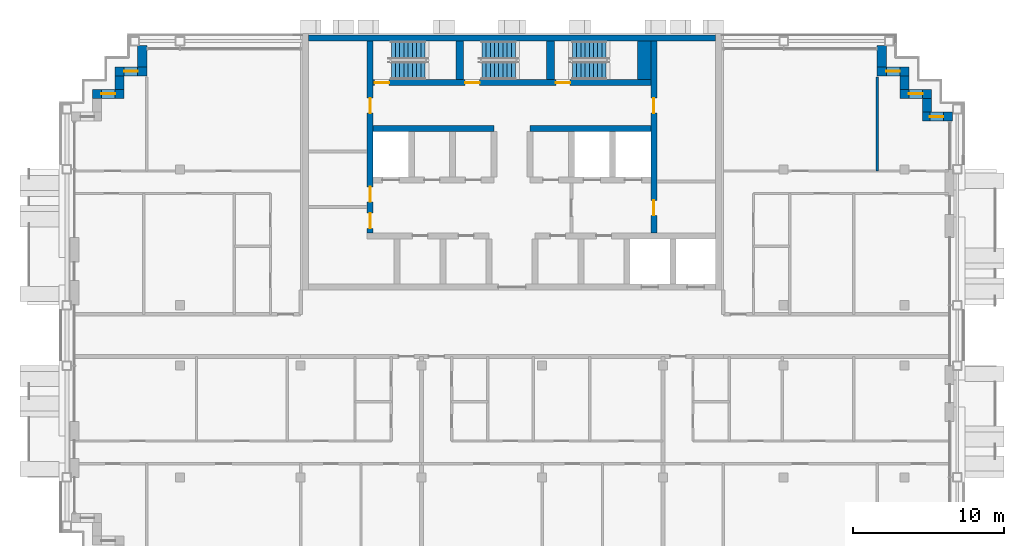
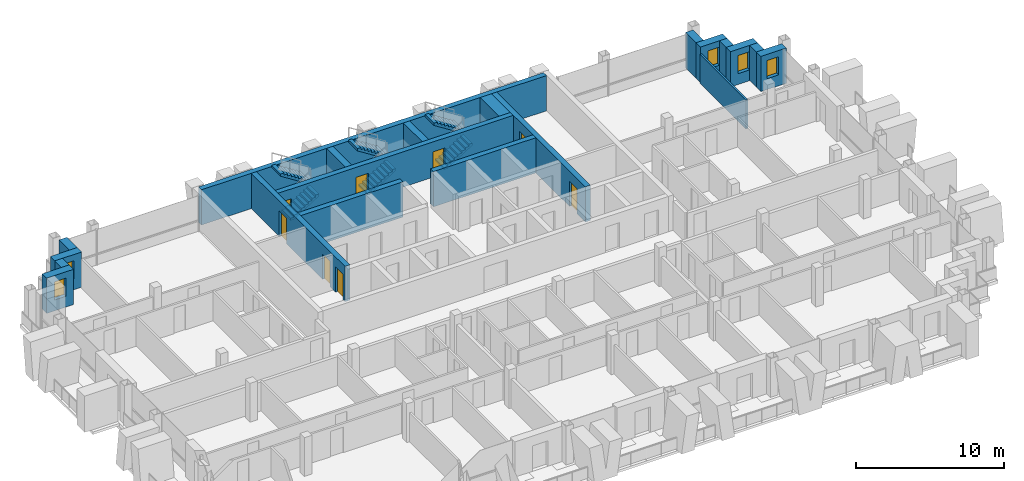
# One storey, part 11 of 15: 20 walls, 8 doors, 6 stair flights, 5 windows, 13 openings, 3 elements without a shape of their own.
"""IFC4 building model written with IfcOpenShell, lengths in metres."""

from ifc_helpers import new_model, si_unit, direction, frame, frame_2d, origin, place, context, subcontext, project, spatial, polyline, rectangle, outline, extrude, material, layer, layer_set, type_object, element, fill, aggregate, save


model = new_model("IFC4")

# Units and contexts
model_context = context("Model", 3, precision=1e-05, world=origin(), true_north=direction((0.0, 1.0)))
body_context = subcontext(model_context, "Body", "Model", "MODEL_VIEW")
ifc_project = project(units=[si_unit("LENGTHUNIT", "METRE"), si_unit("AREAUNIT", "SQUARE_METRE"), si_unit("VOLUMEUNIT", "CUBIC_METRE"), si_unit("PLANEANGLEUNIT", "RADIAN"), si_unit("MASSUNIT", "GRAM", prefix="KILO")], contexts=[model_context])

# Site, building, storey
site_placement = place(None, origin())
site = spatial("IfcSite", under=ifc_project, at=site_placement, CompositionType="ELEMENT")
building_placement = place(site_placement, origin())
building = spatial("IfcBuilding", under=site, at=building_placement, Name="Vidyagriha Tower", CompositionType="ELEMENT")
storey_placement = place(building_placement, frame((0.0, 0.0, 226.800048828125)))
storey = spatial("IfcBuildingStorey", under=building, at=storey_placement, Name="L59", CompositionType="ELEMENT", Elevation=226.800048828125)

# Wall, opening, window
ifc_material_1 = material(Name="Precast concrete C40/50 with brick facing", Category="concrete")
ifc_layer_1 = layer(ifc_material_1, 0.60009765625)
ifc_layer_set_1 = layer_set([ifc_layer_1], Name="Precast concrete C40/50 with brick facing")
wall_type_1 = type_object("IfcWallType", Name="Brick-faced precast wall 600", PredefinedType="STANDARD", material=ifc_layer_set_1)
wall_1_placement = place(storey_placement, frame((29.199951171875, 14.5, 0.0), z_axis=(0.0, 0.0, 1.0), x_axis=(-1.0, 0.0, 0.0)))
wall_1 = element("IfcWall", 1, at=wall_1_placement, inside=storey, type_object=wall_type_1, Name="Stepped corner wall L59 R01", PredefinedType="STANDARD", context=body_context, shape_type="SweptSolid", body=[
    extrude(rectangle(XDim=2.0, YDim=0.60009765625, at=frame_2d((1.0, 0.0))), origin(), (0.0, 0.0, 1.0), 2.919921875),
])
opening_1_placement = place(wall_1_placement, frame((0.610107421875, 0.0, 0.89990234375)))
opening_1 = element("IfcOpeningElement", 2, at=opening_1_placement, cuts=wall_1, Name="Opening WN1", PredefinedType="OPENING", context=body_context, shape_type="SweptSolid", body=[
    extrude(rectangle(XDim=0.89990234375, YDim=1.5, at=frame_2d((0.449951171875, 0.75))), frame((0.0, 0.31005859375, 0.0), z_axis=(0.0, -1.0, 0.0), x_axis=(1.0, 0.0, 0.0)), (0.0, 0.0, 1.0), 0.6201171875),
])
ifc_material_2 = material(Name="Aluminium and glass window", Category="aluminium")
window_type = type_object("IfcWindowType", Name="Reveal window 900x1500", PartitioningType="NOTDEFINED", PredefinedType="WINDOW", material=ifc_material_2)
window_1_placement = place(opening_1_placement, origin())
window_1 = element("IfcWindow", 3, at=window_1_placement, inside=storey, type_object=window_type, Name="Reveal window L59 R01", OverallHeight=1.5, OverallWidth=0.89990234375, PartitioningType="SINGLE_PANEL", PredefinedType="WINDOW", context=body_context, shape_type="SweptSolid", body=[
    extrude(rectangle(XDim=0.89990234375, YDim=1.5, at=frame_2d((0.449951171875, 0.75))), frame((0.0, 0.030029296875, 0.0), z_axis=(0.0, -1.0, 0.0), x_axis=(1.0, 0.0, 0.0)), (0.0, 0.0, 1.0), 0.06005859375),
])
fill(opening_1, window_1)

# Wall
wall_2_placement = place(storey_placement, frame((27.5, 14.800048828125, 0.0), z_axis=(0.0, 0.0, 1.0), x_axis=(0.0, 1.0, 0.0)))
element("IfcWall", 4, at=wall_2_placement, inside=storey, type_object=wall_type_1, Name="Stepped corner wall L59 R02", PredefinedType="STANDARD", context=body_context, shape_type="SweptSolid", body=[
    extrude(rectangle(XDim=0.89990234375, YDim=0.60009765625, at=frame_2d((0.449951171875, 0.0))), origin(), (0.0, 0.0, 1.0), 2.919921875),
])

# Wall, opening, window
wall_3_placement = place(storey_placement, frame((27.800048828125, 16.0, 0.0), z_axis=(0.0, 0.0, 1.0), x_axis=(-1.0, 0.0, 0.0)))
wall_3 = element("IfcWall", 5, at=wall_3_placement, inside=storey, type_object=wall_type_1, Name="Stepped corner wall L59 R03", PredefinedType="STANDARD", context=body_context, shape_type="SweptSolid", body=[
    extrude(rectangle(XDim=2.10009765625, YDim=0.60009765625, at=frame_2d((1.050048828125, 0.0))), origin(), (0.0, 0.0, 1.0), 2.919921875),
])
opening_2_placement = place(wall_3_placement, frame((0.60009765625, 0.0, 0.89990234375)))
opening_2 = element("IfcOpeningElement", 6, at=opening_2_placement, cuts=wall_3, Name="Opening WN1", PredefinedType="OPENING", context=body_context, shape_type="SweptSolid", body=[
    extrude(rectangle(XDim=0.89990234375, YDim=1.5, at=frame_2d((0.449951171875, 0.75))), frame((0.0, 0.31005859375, 0.0), z_axis=(0.0, -1.0, 0.0), x_axis=(1.0, 0.0, 0.0)), (0.0, 0.0, 1.0), 0.6201171875),
])
window_2_placement = place(opening_2_placement, origin())
window_2 = element("IfcWindow", 7, at=window_2_placement, inside=storey, type_object=window_type, Name="Reveal window L59 R03", OverallHeight=1.5, OverallWidth=0.89990234375, PartitioningType="SINGLE_PANEL", PredefinedType="WINDOW", context=body_context, shape_type="SweptSolid", body=[
    extrude(rectangle(XDim=0.89990234375, YDim=1.5, at=frame_2d((0.449951171875, 0.75))), frame((0.0, 0.030029296875, 0.0), z_axis=(0.0, -1.0, 0.0), x_axis=(1.0, 0.0, 0.0)), (0.0, 0.0, 1.0), 0.06005859375),
])
fill(opening_2, window_2)

# Wall
wall_4_placement = place(storey_placement, frame((26.0, 16.300048828125, 0.0), z_axis=(0.0, 0.0, 1.0), x_axis=(0.0, 1.0, 0.0)))
element("IfcWall", 8, at=wall_4_placement, inside=storey, type_object=wall_type_1, Name="Stepped corner wall L59 R04", PredefinedType="STANDARD", context=body_context, shape_type="SweptSolid", body=[
    extrude(rectangle(XDim=0.89990234375, YDim=0.60009765625, at=frame_2d((0.449951171875, 0.0))), origin(), (0.0, 0.0, 1.0), 2.919921875),
])

# Wall, opening, window
wall_5_placement = place(storey_placement, frame((26.300048828125, 17.5, 0.0), z_axis=(0.0, 0.0, 1.0), x_axis=(-1.0, 0.0, 0.0)))
wall_5 = element("IfcWall", 9, at=wall_5_placement, inside=storey, type_object=wall_type_1, Name="Stepped corner wall L59 R05", PredefinedType="STANDARD", context=body_context, shape_type="SweptSolid", body=[
    extrude(rectangle(XDim=2.10009765625, YDim=0.60009765625, at=frame_2d((1.050048828125, 0.0))), origin(), (0.0, 0.0, 1.0), 2.919921875),
])
opening_3_placement = place(wall_5_placement, frame((0.60009765625, 0.0, 0.89990234375)))
opening_3 = element("IfcOpeningElement", 10, at=opening_3_placement, cuts=wall_5, Name="Opening WN1", PredefinedType="OPENING", context=body_context, shape_type="SweptSolid", body=[
    extrude(rectangle(XDim=0.89990234375, YDim=1.5, at=frame_2d((0.449951171875, 0.75))), frame((0.0, 0.31005859375, 0.0), z_axis=(0.0, -1.0, 0.0), x_axis=(1.0, 0.0, 0.0)), (0.0, 0.0, 1.0), 0.6201171875),
])
window_3_placement = place(opening_3_placement, origin())
window_3 = element("IfcWindow", 11, at=window_3_placement, inside=storey, type_object=window_type, Name="Reveal window L59 R05", OverallHeight=1.5, OverallWidth=0.89990234375, PartitioningType="SINGLE_PANEL", PredefinedType="WINDOW", context=body_context, shape_type="SweptSolid", body=[
    extrude(rectangle(XDim=0.89990234375, YDim=1.5, at=frame_2d((0.449951171875, 0.75))), frame((0.0, 0.030029296875, 0.0), z_axis=(0.0, -1.0, 0.0), x_axis=(1.0, 0.0, 0.0)), (0.0, 0.0, 1.0), 0.06005859375),
])
fill(opening_3, window_3)

# Walls
for number, where, z_axis, x_axis, name in (
    (12, (24.5, 17.800048828125, 0.0), (0.0, 0.0, 1.0), (0.0, 1.0, 0.0), "Stepped corner wall L59 R06"),
    (13, (-24.5, 19.199951171875, 0.0), (0.0, 0.0, 1.0), (0.0, -1.0, 0.0), "Stepped corner wall L59 R10"),
):
    element("IfcWall", number, at=place(storey_placement, frame(where, z_axis=z_axis, x_axis=x_axis)), inside=storey, type_object=wall_type_1, Name=name, PredefinedType="STANDARD", context=body_context, shape_type="SweptSolid", body=[
        extrude(rectangle(XDim=1.39990234375, YDim=0.60009765625, at=frame_2d((0.699951171875, 0.0))), origin(), (0.0, 0.0, 1.0), 2.919921875),
    ])

# Wall, opening, window
wall_6_placement = place(storey_placement, frame((-24.199951171875, 17.5, 0.0), z_axis=(0.0, 0.0, 1.0), x_axis=(-1.0, 0.0, 0.0)))
wall_6 = element("IfcWall", 14, at=wall_6_placement, inside=storey, type_object=wall_type_1, Name="Stepped corner wall L59 R11", PredefinedType="STANDARD", context=body_context, shape_type="SweptSolid", body=[
    extrude(rectangle(XDim=2.10009765625, YDim=0.60009765625, at=frame_2d((1.050048828125, 0.0))), origin(), (0.0, 0.0, 1.0), 2.919921875),
])
opening_4_placement = place(wall_6_placement, frame((0.60009765625, 0.0, 0.89990234375)))
opening_4 = element("IfcOpeningElement", 15, at=opening_4_placement, cuts=wall_6, Name="Opening WN1", PredefinedType="OPENING", context=body_context, shape_type="SweptSolid", body=[
    extrude(rectangle(XDim=0.89990234375, YDim=1.5, at=frame_2d((0.449951171875, 0.75))), frame((0.0, 0.31005859375, 0.0), z_axis=(0.0, -1.0, 0.0), x_axis=(1.0, 0.0, 0.0)), (0.0, 0.0, 1.0), 0.6201171875),
])
window_4_placement = place(opening_4_placement, origin())
window_4 = element("IfcWindow", 16, at=window_4_placement, inside=storey, type_object=window_type, Name="Reveal window L59 R11", OverallHeight=1.5, OverallWidth=0.89990234375, PartitioningType="SINGLE_PANEL", PredefinedType="WINDOW", context=body_context, shape_type="SweptSolid", body=[
    extrude(rectangle(XDim=0.89990234375, YDim=1.5, at=frame_2d((0.449951171875, 0.75))), frame((0.0, 0.030029296875, 0.0), z_axis=(0.0, -1.0, 0.0), x_axis=(1.0, 0.0, 0.0)), (0.0, 0.0, 1.0), 0.06005859375),
])
fill(opening_4, window_4)

# Wall
wall_7_placement = place(storey_placement, frame((-26.0, 17.199951171875, 0.0), z_axis=(0.0, 0.0, 1.0), x_axis=(0.0, -1.0, 0.0)))
element("IfcWall", 17, at=wall_7_placement, inside=storey, type_object=wall_type_1, Name="Stepped corner wall L59 R12", PredefinedType="STANDARD", context=body_context, shape_type="SweptSolid", body=[
    extrude(rectangle(XDim=0.89990234375, YDim=0.60009765625, at=frame_2d((0.449951171875, 0.0))), origin(), (0.0, 0.0, 1.0), 2.919921875),
])

# Wall, opening, window
wall_8_placement = place(storey_placement, frame((-25.699951171875, 16.0, 0.0), z_axis=(0.0, 0.0, 1.0), x_axis=(-1.0, 0.0, 0.0)))
wall_8 = element("IfcWall", 18, at=wall_8_placement, inside=storey, type_object=wall_type_1, Name="Stepped corner wall L59 R13", PredefinedType="STANDARD", context=body_context, shape_type="SweptSolid", body=[
    extrude(rectangle(XDim=2.10009765625, YDim=0.60009765625, at=frame_2d((1.050048828125, 0.0))), origin(), (0.0, 0.0, 1.0), 2.919921875),
])
opening_5_placement = place(wall_8_placement, frame((0.60009765625, 0.0, 0.89990234375)))
opening_5 = element("IfcOpeningElement", 19, at=opening_5_placement, cuts=wall_8, Name="Opening WN1", PredefinedType="OPENING", context=body_context, shape_type="SweptSolid", body=[
    extrude(rectangle(XDim=0.89990234375, YDim=1.5, at=frame_2d((0.449951171875, 0.75))), frame((0.0, 0.31005859375, 0.0), z_axis=(0.0, -1.0, 0.0), x_axis=(1.0, 0.0, 0.0)), (0.0, 0.0, 1.0), 0.6201171875),
])
window_5_placement = place(opening_5_placement, origin())
window_5 = element("IfcWindow", 20, at=window_5_placement, inside=storey, type_object=window_type, Name="Reveal window L59 R13", OverallHeight=1.5, OverallWidth=0.89990234375, PartitioningType="SINGLE_PANEL", PredefinedType="WINDOW", context=body_context, shape_type="SweptSolid", body=[
    extrude(rectangle(XDim=0.89990234375, YDim=1.5, at=frame_2d((0.449951171875, 0.75))), frame((0.0, 0.030029296875, 0.0), z_axis=(0.0, -1.0, 0.0), x_axis=(1.0, 0.0, 0.0)), (0.0, 0.0, 1.0), 0.06005859375),
])
fill(opening_5, window_5)

# Wall
ifc_material_3 = material(Name="Concrete C60/75", Category="concrete")
ifc_layer_2 = layer(ifc_material_3, 0.39990234375)
ifc_layer_set_2 = layer_set([ifc_layer_2], Name="Concrete C60/75")
wall_type_2 = type_object("IfcWallType", Name="Core shear wall 400 mm", PredefinedType="SHEAR", material=ifc_layer_set_2)
wall_9_placement = place(storey_placement, frame((-13.5, 19.699951171875, 0.0)))
element("IfcWall", 21, at=wall_9_placement, inside=storey, type_object=wall_type_2, Name="Core north wall", PredefinedType="SHEAR", context=body_context, shape_type="SweptSolid", body=[
    extrude(rectangle(XDim=27.0, YDim=0.39990234375, at=frame_2d((13.5, 0.0))), origin(), (0.0, 0.0, 1.0), 2.919921875),
])

# Wall, openings, doors
wall_10_placement = place(storey_placement, frame((-9.39990234375, 6.800048828125, 0.0), z_axis=(0.0, 0.0, 1.0), x_axis=(0.0, 1.0, 0.0)))
wall_10 = element("IfcWall", 22, at=wall_10_placement, inside=storey, type_object=wall_type_2, Name="Core west spine wall", PredefinedType="SHEAR", context=body_context, shape_type="SweptSolid", body=[
    extrude(rectangle(XDim=12.699951171875, YDim=0.39990234375, at=frame_2d((6.35009765625, 0.0))), origin(), (0.0, 0.0, 1.0), 2.919921875),
])
opening_6_placement = place(wall_10_placement, frame((0.300048828125, 0.0, 0.0)))
opening_6 = element("IfcOpeningElement", 23, at=opening_6_placement, cuts=wall_10, Name="Opening D59-13", PredefinedType="OPENING", context=body_context, shape_type="SweptSolid", body=[
    extrude(rectangle(XDim=1.0, YDim=2.10009765625, at=frame_2d((0.5, 1.050048828125))), frame((0.0, 0.2099609375, 0.0), z_axis=(0.0, -1.0, 0.0), x_axis=(1.0, 0.0, 0.0)), (0.0, 0.0, 1.0), 0.419921875),
])
opening_7_placement = place(wall_10_placement, frame((2.050048828125, 0.0, 0.0)))
opening_7 = element("IfcOpeningElement", 24, at=opening_7_placement, cuts=wall_10, Name="Opening D59-14", PredefinedType="OPENING", context=body_context, shape_type="SweptSolid", body=[
    extrude(rectangle(XDim=1.0, YDim=2.10009765625, at=frame_2d((0.5, 1.050048828125))), frame((0.0, 0.2099609375, 0.0), z_axis=(0.0, -1.0, 0.0), x_axis=(1.0, 0.0, 0.0)), (0.0, 0.0, 1.0), 0.419921875),
])
opening_8_placement = place(wall_10_placement, frame((7.925048828125, 0.0, 0.0)))
opening_8 = element("IfcOpeningElement", 25, at=opening_8_placement, cuts=wall_10, Name="Opening D59-15", PredefinedType="OPENING", context=body_context, shape_type="SweptSolid", body=[
    extrude(rectangle(XDim=1.0, YDim=2.10009765625, at=frame_2d((0.5, 1.050048828125))), frame((0.0, 0.2099609375, 0.0), z_axis=(0.0, -1.0, 0.0), x_axis=(1.0, 0.0, 0.0)), (0.0, 0.0, 1.0), 0.419921875),
])
ifc_material_4 = material(Name="Hollow metal door leaf")
door_type_1 = type_object("IfcDoorType", Name="Core room door 1000 x 2100 mm EI 60", OperationType="NOTDEFINED", PredefinedType="DOOR", material=ifc_material_4)
door_1_placement = place(opening_6_placement, frame((1.0, 0.0, 0.0), z_axis=(0.0, 0.0, 1.0), x_axis=(-1.0, 0.0, 0.0)))
door_1 = element("IfcDoor", 26, at=door_1_placement, inside=storey, type_object=door_type_1, Name="Door Switchgear Room 59.W1", OperationType="SINGLE_SWING_RIGHT", OverallHeight=2.10009765625, OverallWidth=1.0, PredefinedType="DOOR", context=body_context, shape_type="SweptSolid", body=[
    extrude(rectangle(XDim=1.0, YDim=2.10009765625, at=frame_2d((0.5, 1.050048828125))), frame((0.0, 0.02490234375, 0.0), z_axis=(0.0, -1.0, 0.0), x_axis=(1.0, 0.0, 0.0)), (0.0, 0.0, 1.0), 0.050048828125),
])
fill(opening_6, door_1)
door_2_placement = place(opening_7_placement, frame((1.0, 0.0, 0.0), z_axis=(0.0, 0.0, 1.0), x_axis=(-1.0, 0.0, 0.0)))
door_2 = element("IfcDoor", 27, at=door_2_placement, inside=storey, type_object=door_type_1, Name="Door Communications Room 59.W2", OperationType="SINGLE_SWING_LEFT", OverallHeight=2.10009765625, OverallWidth=1.0, PredefinedType="DOOR", context=body_context, shape_type="SweptSolid", body=[
    extrude(rectangle(XDim=1.0, YDim=2.10009765625, at=frame_2d((0.5, 1.050048828125))), frame((0.0, 0.02490234375, 0.0), z_axis=(0.0, -1.0, 0.0), x_axis=(1.0, 0.0, 0.0)), (0.0, 0.0, 1.0), 0.050048828125),
])
fill(opening_7, door_2)
door_3_placement = place(opening_8_placement, frame((1.0, 0.0, 0.0), z_axis=(0.0, 0.0, 1.0), x_axis=(-1.0, 0.0, 0.0)))
door_3 = element("IfcDoor", 28, at=door_3_placement, inside=storey, type_object=door_type_1, Name="Door Pressurisation Plant Room 59.W3", OperationType="SINGLE_SWING_LEFT", OverallHeight=2.10009765625, OverallWidth=1.0, PredefinedType="DOOR", context=body_context, shape_type="SweptSolid", body=[
    extrude(rectangle(XDim=1.0, YDim=2.10009765625, at=frame_2d((0.5, 1.050048828125))), frame((0.0, 0.02490234375, 0.0), z_axis=(0.0, -1.0, 0.0), x_axis=(1.0, 0.0, 0.0)), (0.0, 0.0, 1.0), 0.050048828125),
])
fill(opening_8, door_3)

wall_11_placement = place(storey_placement, frame((9.39990234375, 6.800048828125, 0.0), z_axis=(0.0, 0.0, 1.0), x_axis=(0.0, 1.0, 0.0)))
wall_11 = element("IfcWall", 29, at=wall_11_placement, inside=storey, type_object=wall_type_2, Name="Core east spine wall", PredefinedType="SHEAR", context=body_context, shape_type="SweptSolid", body=[
    extrude(rectangle(XDim=12.699951171875, YDim=0.39990234375, at=frame_2d((6.35009765625, 0.0))), origin(), (0.0, 0.0, 1.0), 2.919921875),
])
opening_9_placement = place(wall_11_placement, frame((1.14990234375, 0.0, 0.0)))
opening_9 = element("IfcOpeningElement", 30, at=opening_9_placement, cuts=wall_11, Name="Opening D59-16", PredefinedType="OPENING", context=body_context, shape_type="SweptSolid", body=[
    extrude(rectangle(XDim=1.0, YDim=2.10009765625, at=frame_2d((0.5, 1.050048828125))), frame((0.0, 0.2099609375, 0.0), z_axis=(0.0, -1.0, 0.0), x_axis=(1.0, 0.0, 0.0)), (0.0, 0.0, 1.0), 0.419921875),
])
opening_10_placement = place(wall_11_placement, frame((7.925048828125, 0.0, 0.0)))
opening_10 = element("IfcOpeningElement", 31, at=opening_10_placement, cuts=wall_11, Name="Opening D59-17", PredefinedType="OPENING", context=body_context, shape_type="SweptSolid", body=[
    extrude(rectangle(XDim=1.0, YDim=2.10009765625, at=frame_2d((0.5, 1.050048828125))), frame((0.0, 0.2099609375, 0.0), z_axis=(0.0, -1.0, 0.0), x_axis=(1.0, 0.0, 0.0)), (0.0, 0.0, 1.0), 0.419921875),
])
door_4_placement = place(opening_9_placement, origin())
door_4 = element("IfcDoor", 32, at=door_4_placement, inside=storey, type_object=door_type_1, Name="Door Electrical Room 59.E1", OperationType="SINGLE_SWING_RIGHT", OverallHeight=2.10009765625, OverallWidth=1.0, PredefinedType="DOOR", context=body_context, shape_type="SweptSolid", body=[
    extrude(rectangle(XDim=1.0, YDim=2.10009765625, at=frame_2d((0.5, 1.050048828125))), frame((0.0, 0.02490234375, 0.0), z_axis=(0.0, -1.0, 0.0), x_axis=(1.0, 0.0, 0.0)), (0.0, 0.0, 1.0), 0.050048828125),
])
fill(opening_9, door_4)
door_5_placement = place(opening_10_placement, origin())
door_5 = element("IfcDoor", 33, at=door_5_placement, inside=storey, type_object=door_type_1, Name="Door Refuse Room 59.E2", OperationType="SINGLE_SWING_LEFT", OverallHeight=2.10009765625, OverallWidth=1.0, PredefinedType="DOOR", context=body_context, shape_type="SweptSolid", body=[
    extrude(rectangle(XDim=1.0, YDim=2.10009765625, at=frame_2d((0.5, 1.050048828125))), frame((0.0, 0.02490234375, 0.0), z_axis=(0.0, -1.0, 0.0), x_axis=(1.0, 0.0, 0.0)), (0.0, 0.0, 1.0), 0.050048828125),
])
fill(opening_10, door_5)

# Walls
for number, where, name in (
    (34, (-9.199951171875, 13.699951171875, 0.0), "Core row N rear wall"),
    (35, (1.199951171875, 13.699951171875, 0.0), "Core row N rear wall"),
):
    element("IfcWall", number, at=place(storey_placement, frame(where)), inside=storey, type_object=wall_type_2, Name=name, PredefinedType="SHEAR", context=body_context, shape_type="SweptSolid", body=[
        extrude(rectangle(XDim=8.0, YDim=0.39990234375, at=frame_2d((4.0, 0.0))), origin(), (0.0, 0.0, 1.0), 2.919921875),
    ])

# Wall, openings, doors
wall_12_placement = place(storey_placement, frame((-9.199951171875, 16.75, 0.0)))
wall_12 = element("IfcWall", 36, at=wall_12_placement, inside=storey, type_object=wall_type_2, Name="Stair front wall", PredefinedType="SHEAR", context=body_context, shape_type="SweptSolid", body=[
    extrude(rectangle(XDim=18.39990234375, YDim=0.39990234375, at=frame_2d((9.199951171875, 0.0))), origin(), (0.0, 0.0, 1.0), 2.919921875),
])
opening_11_placement = place(wall_12_placement, frame((0.10009765625, 0.0, 0.0)))
opening_11 = element("IfcOpeningElement", 37, at=opening_11_placement, cuts=wall_12, Name="Opening D59-10", PredefinedType="OPENING", context=body_context, shape_type="SweptSolid", body=[
    extrude(rectangle(XDim=0.949951171875, YDim=2.10009765625, at=frame_2d((0.47509765625, 1.050048828125))), frame((0.0, 0.2099609375, 0.0), z_axis=(0.0, -1.0, 0.0), x_axis=(1.0, 0.0, 0.0)), (0.0, 0.0, 1.0), 0.419921875),
])
opening_12_placement = place(wall_12_placement, frame((6.10009765625, 0.0, 0.0)))
opening_12 = element("IfcOpeningElement", 38, at=opening_12_placement, cuts=wall_12, Name="Opening D59-11", PredefinedType="OPENING", context=body_context, shape_type="SweptSolid", body=[
    extrude(rectangle(XDim=0.949951171875, YDim=2.10009765625, at=frame_2d((0.47509765625, 1.050048828125))), frame((0.0, 0.2099609375, 0.0), z_axis=(0.0, -1.0, 0.0), x_axis=(1.0, 0.0, 0.0)), (0.0, 0.0, 1.0), 0.419921875),
])
opening_13_placement = place(wall_12_placement, frame((12.10009765625, 0.0, 0.0)))
opening_13 = element("IfcOpeningElement", 39, at=opening_13_placement, cuts=wall_12, Name="Opening D59-12", PredefinedType="OPENING", context=body_context, shape_type="SweptSolid", body=[
    extrude(rectangle(XDim=0.949951171875, YDim=2.10009765625, at=frame_2d((0.47509765625, 1.050048828125))), frame((0.0, 0.2099609375, 0.0), z_axis=(0.0, -1.0, 0.0), x_axis=(1.0, 0.0, 0.0)), (0.0, 0.0, 1.0), 0.419921875),
])
ifc_material_5 = material(Name="Hollow metal door leaf")
door_type_2 = type_object("IfcDoorType", Name="Exit stair door 950 x 2100 mm EI 90", OperationType="NOTDEFINED", PredefinedType="DOOR", material=ifc_material_5)
door_6_placement = place(opening_11_placement, origin())
door_6 = element("IfcDoor", 40, at=door_6_placement, inside=storey, type_object=door_type_2, Name="Stair door ST1 L59", OperationType="SINGLE_SWING_LEFT", OverallHeight=2.10009765625, OverallWidth=0.949951171875, PredefinedType="DOOR", context=body_context, shape_type="SweptSolid", body=[
    extrude(rectangle(XDim=0.949951171875, YDim=2.10009765625, at=frame_2d((0.47509765625, 1.050048828125))), frame((0.0, 0.02490234375, 0.0), z_axis=(0.0, -1.0, 0.0), x_axis=(1.0, 0.0, 0.0)), (0.0, 0.0, 1.0), 0.050048828125),
])
fill(opening_11, door_6)
door_7_placement = place(opening_12_placement, origin())
door_7 = element("IfcDoor", 41, at=door_7_placement, inside=storey, type_object=door_type_2, Name="Stair door ST2 L59", OperationType="SINGLE_SWING_LEFT", OverallHeight=2.10009765625, OverallWidth=0.949951171875, PredefinedType="DOOR", context=body_context, shape_type="SweptSolid", body=[
    extrude(rectangle(XDim=0.949951171875, YDim=2.10009765625, at=frame_2d((0.47509765625, 1.050048828125))), frame((0.0, 0.02490234375, 0.0), z_axis=(0.0, -1.0, 0.0), x_axis=(1.0, 0.0, 0.0)), (0.0, 0.0, 1.0), 0.050048828125),
])
fill(opening_12, door_7)
door_8_placement = place(opening_13_placement, origin())
door_8 = element("IfcDoor", 42, at=door_8_placement, inside=storey, type_object=door_type_2, Name="Stair door ST3 L59", OperationType="SINGLE_SWING_LEFT", OverallHeight=2.10009765625, OverallWidth=0.949951171875, PredefinedType="DOOR", context=body_context, shape_type="SweptSolid", body=[
    extrude(rectangle(XDim=0.949951171875, YDim=2.10009765625, at=frame_2d((0.47509765625, 1.050048828125))), frame((0.0, 0.02490234375, 0.0), z_axis=(0.0, -1.0, 0.0), x_axis=(1.0, 0.0, 0.0)), (0.0, 0.0, 1.0), 0.050048828125),
])
fill(opening_13, door_8)

# Walls
ifc_material_6 = material(Name="Concrete C60/75", Category="concrete")
ifc_layer_3 = layer(ifc_material_6, 0.5)
ifc_layer_set_3 = layer_set([ifc_layer_3], Name="Concrete C60/75")
wall_type_3 = type_object("IfcWallType", Name="Core shear wall 500 mm", PredefinedType="SHEAR", material=ifc_layer_set_3)
for number, where, z_axis, x_axis, name in (
    (43, (-3.449951171875, 16.949951171875, 0.0), (0.0, 0.0, 1.0), (0.0, 1.0, 0.0), "Stair partition wall 1"),
    (44, (2.550048828125, 16.949951171875, 0.0), (0.0, 0.0, 1.0), (0.0, 1.0, 0.0), "Stair partition wall 2"),
):
    element("IfcWall", number, at=place(storey_placement, frame(where, z_axis=z_axis, x_axis=x_axis)), inside=storey, type_object=wall_type_3, Name=name, PredefinedType="SHEAR", context=body_context, shape_type="SweptSolid", body=[
        extrude(rectangle(XDim=2.550048828125, YDim=0.5, at=frame_2d((1.27490234375, 0.0))), origin(), (0.0, 0.0, 1.0), 2.919921875),
    ])
ifc_material_7 = material(Name="Concrete C60/75", Category="concrete")
ifc_layer_4 = layer(ifc_material_7, 0.89990234375)
ifc_layer_set_4 = layer_set([ifc_layer_4], Name="Concrete C60/75")
wall_type_4 = type_object("IfcWallType", Name="Core shear wall 900 mm", PredefinedType="SHEAR", material=ifc_layer_set_4)
wall_13_placement = place(storey_placement, frame((8.75, 16.949951171875, 0.0), z_axis=(0.0, 0.0, 1.0), x_axis=(0.0, 1.0, 0.0)))
element("IfcWall", 45, at=wall_13_placement, inside=storey, type_object=wall_type_4, Name="Stair end wall", PredefinedType="SHEAR", context=body_context, shape_type="SweptSolid", body=[
    extrude(rectangle(XDim=2.550048828125, YDim=0.89990234375, at=frame_2d((1.27490234375, 0.0))), origin(), (0.0, 0.0, 1.0), 2.919921875),
])
ifc_material_8 = material(Name="Gypsum board partition")
ifc_layer_5 = layer(ifc_material_8, 0.14990234375)
ifc_layer_set_5 = layer_set([ifc_layer_5], Name="Gypsum board partition")
wall_type_5 = type_object("IfcWallType", Name="Gypsum board partition 150", PredefinedType="PARTITIONING", material=ifc_layer_set_5)
wall_14_placement = place(storey_placement, frame((24.199951171875, 17.1201171875, 0.0), z_axis=(0.0, 0.0, 1.0), x_axis=(0.0, -1.0, 0.0)))
element("IfcWall", 46, at=wall_14_placement, inside=storey, type_object=wall_type_5, Name="Wall all-L59-w088", PredefinedType="PARTITIONING", context=body_context, shape_type="SweptSolid", body=[
    extrude(rectangle(XDim=6.22021484375, YDim=0.14990234375, at=frame_2d((3.110107421875, 0.0))), origin(), (0.0, 0.0, 1.0), 2.39990234375),
])

# Stair, stair flights
ifc_material_9 = material(Name="Concrete C40/50", Category="concrete")
stair_type = type_object("IfcStairType", Name="Exit stair, half-turn, precast flights", PredefinedType="HALF_TURN_STAIR", material=ifc_material_9)
stair_1_placement = place(storey_placement, origin())
stair_1 = element("IfcStair", 47, at=stair_1_placement, inside=storey, type_object=stair_type, Name="L59 Exit Stair ST1", PredefinedType="HALF_TURN_STAIR")
ifc_material_10 = material(Name="Precast concrete C40/50", Category="concrete")
stair_flight_type = type_object("IfcStairFlightType", Name="Exit stair flight 1200 mm, precast", PredefinedType="STRAIGHT", material=ifc_material_10)
stair_flight_1_placement = place(storey_placement, frame((-8.0, 17.550048828125, 0.0)))
stair_flight_1 = element("IfcStairFlight", 48, at=stair_flight_1_placement, type_object=stair_flight_type, Name="ST1 flight 1", NumberOfRisers=9, NumberOfTreads=8, PredefinedType="STRAIGHT", RiserHeight=0.177777778, TreadLength=0.28, context=body_context, shape_type="SweptSolid", body=[
    extrude(outline(polyline([(0.0, 0.0), (0.0, 0.177734375), (0.280029296875, 0.177734375), (0.280029296875, 0.35546875), (0.56005859375, 0.35546875), (0.56005859375, 0.533447265625), (0.840087890625, 0.533447265625), (0.840087890625, 0.711181640625), (1.1201171875, 0.711181640625), (1.1201171875, 0.888916015625), (1.39990234375, 0.888916015625), (1.39990234375, 1.066650390625), (1.679931640625, 1.066650390625), (1.679931640625, 1.244384765625), (1.9599609375, 1.244384765625), (1.9599609375, 1.422119140625), (2.239990234375, 1.422119140625), (2.239990234375, 1.60009765625), (2.239990234375, 1.24462890625), (0.27978515625, 0.0), (0.0, 0.0)])), frame((0.0, 0.60009765625, 0.0), z_axis=(0.0, -1.0, 0.0), x_axis=(1.0, 0.0, 0.0)), (0.0, 0.0, 1.0), 1.199951171875),
])
stair_flight_2_placement = place(storey_placement, frame((-5.760009765625, 18.89990234375, 1.599853515625), z_axis=(0.0, 0.0, 1.0), x_axis=(-1.0, 0.0, 0.0)))
stair_flight_2 = element("IfcStairFlight", 49, at=stair_flight_2_placement, type_object=stair_flight_type, Name="ST1 flight 2", NumberOfRisers=9, NumberOfTreads=8, PredefinedType="STRAIGHT", RiserHeight=0.177777778, TreadLength=0.28, context=body_context, shape_type="SweptSolid", body=[
    extrude(outline(polyline([(0.0, 0.0), (0.0, 0.177734375), (0.280029296875, 0.177734375), (0.280029296875, 0.35546875), (0.56005859375, 0.35546875), (0.56005859375, 0.533447265625), (0.840087890625, 0.533447265625), (0.840087890625, 0.711181640625), (1.1201171875, 0.711181640625), (1.1201171875, 0.888916015625), (1.39990234375, 0.888916015625), (1.39990234375, 1.066650390625), (1.679931640625, 1.066650390625), (1.679931640625, 1.244384765625), (1.9599609375, 1.244384765625), (1.9599609375, 1.422119140625), (2.239990234375, 1.422119140625), (2.239990234375, 1.60009765625), (2.239990234375, 1.24462890625), (0.27978515625, 0.0), (0.0, 0.0)])), frame((0.0, 0.60009765625, 0.0), z_axis=(0.0, -1.0, 0.0), x_axis=(1.0, 0.0, 0.0)), (0.0, 0.0, 1.0), 1.199951171875),
])
aggregate(stair_1, [stair_flight_1, stair_flight_2])

stair_2_placement = place(storey_placement, origin())
stair_2 = element("IfcStair", 50, at=stair_2_placement, inside=storey, type_object=stair_type, Name="L59 Exit Stair ST2", PredefinedType="HALF_TURN_STAIR")
stair_flight_3_placement = place(storey_placement, frame((-2.0, 17.550048828125, 0.0)))
stair_flight_3 = element("IfcStairFlight", 51, at=stair_flight_3_placement, type_object=stair_flight_type, Name="ST2 flight 1", NumberOfRisers=9, NumberOfTreads=8, PredefinedType="STRAIGHT", RiserHeight=0.177777778, TreadLength=0.28, context=body_context, shape_type="SweptSolid", body=[
    extrude(outline(polyline([(0.0, 0.0), (0.0, 0.177734375), (0.280029296875, 0.177734375), (0.280029296875, 0.35546875), (0.56005859375, 0.35546875), (0.56005859375, 0.533447265625), (0.840087890625, 0.533447265625), (0.840087890625, 0.711181640625), (1.1201171875, 0.711181640625), (1.1201171875, 0.888916015625), (1.39990234375, 0.888916015625), (1.39990234375, 1.066650390625), (1.679931640625, 1.066650390625), (1.679931640625, 1.244384765625), (1.9599609375, 1.244384765625), (1.9599609375, 1.422119140625), (2.239990234375, 1.422119140625), (2.239990234375, 1.60009765625), (2.239990234375, 1.24462890625), (0.27978515625, 0.0), (0.0, 0.0)])), frame((0.0, 0.60009765625, 0.0), z_axis=(0.0, -1.0, 0.0), x_axis=(1.0, 0.0, 0.0)), (0.0, 0.0, 1.0), 1.199951171875),
])
stair_flight_4_placement = place(storey_placement, frame((0.239990234375, 18.89990234375, 1.599853515625), z_axis=(0.0, 0.0, 1.0), x_axis=(-1.0, 0.0, 0.0)))
stair_flight_4 = element("IfcStairFlight", 52, at=stair_flight_4_placement, type_object=stair_flight_type, Name="ST2 flight 2", NumberOfRisers=9, NumberOfTreads=8, PredefinedType="STRAIGHT", RiserHeight=0.177777778, TreadLength=0.28, context=body_context, shape_type="SweptSolid", body=[
    extrude(outline(polyline([(0.0, 0.0), (0.0, 0.177734375), (0.280029296875, 0.177734375), (0.280029296875, 0.35546875), (0.56005859375, 0.35546875), (0.56005859375, 0.533447265625), (0.840087890625, 0.533447265625), (0.840087890625, 0.711181640625), (1.1201171875, 0.711181640625), (1.1201171875, 0.888916015625), (1.39990234375, 0.888916015625), (1.39990234375, 1.066650390625), (1.679931640625, 1.066650390625), (1.679931640625, 1.244384765625), (1.9599609375, 1.244384765625), (1.9599609375, 1.422119140625), (2.239990234375, 1.422119140625), (2.239990234375, 1.60009765625), (2.239990234375, 1.24462890625), (0.27978515625, 0.0), (0.0, 0.0)])), frame((0.0, 0.60009765625, 0.0), z_axis=(0.0, -1.0, 0.0), x_axis=(1.0, 0.0, 0.0)), (0.0, 0.0, 1.0), 1.199951171875),
])
aggregate(stair_2, [stair_flight_3, stair_flight_4])

stair_3_placement = place(storey_placement, origin())
stair_3 = element("IfcStair", 53, at=stair_3_placement, inside=storey, type_object=stair_type, Name="L59 Exit Stair ST3", PredefinedType="HALF_TURN_STAIR")
stair_flight_5_placement = place(storey_placement, frame((4.0, 17.550048828125, 0.0)))
stair_flight_5 = element("IfcStairFlight", 54, at=stair_flight_5_placement, type_object=stair_flight_type, Name="ST3 flight 1", NumberOfRisers=9, NumberOfTreads=8, PredefinedType="STRAIGHT", RiserHeight=0.177777778, TreadLength=0.28, context=body_context, shape_type="SweptSolid", body=[
    extrude(outline(polyline([(0.0, 0.0), (0.0, 0.177734375), (0.280029296875, 0.177734375), (0.280029296875, 0.35546875), (0.56005859375, 0.35546875), (0.56005859375, 0.533447265625), (0.840087890625, 0.533447265625), (0.840087890625, 0.711181640625), (1.1201171875, 0.711181640625), (1.1201171875, 0.888916015625), (1.39990234375, 0.888916015625), (1.39990234375, 1.066650390625), (1.679931640625, 1.066650390625), (1.679931640625, 1.244384765625), (1.9599609375, 1.244384765625), (1.9599609375, 1.422119140625), (2.239990234375, 1.422119140625), (2.239990234375, 1.60009765625), (2.239990234375, 1.24462890625), (0.27978515625, 0.0), (0.0, 0.0)])), frame((0.0, 0.60009765625, 0.0), z_axis=(0.0, -1.0, 0.0), x_axis=(1.0, 0.0, 0.0)), (0.0, 0.0, 1.0), 1.199951171875),
])
stair_flight_6_placement = place(storey_placement, frame((6.239990234375, 18.89990234375, 1.599853515625), z_axis=(0.0, 0.0, 1.0), x_axis=(-1.0, 0.0, 0.0)))
stair_flight_6 = element("IfcStairFlight", 55, at=stair_flight_6_placement, type_object=stair_flight_type, Name="ST3 flight 2", NumberOfRisers=9, NumberOfTreads=8, PredefinedType="STRAIGHT", RiserHeight=0.177777778, TreadLength=0.28, context=body_context, shape_type="SweptSolid", body=[
    extrude(outline(polyline([(0.0, 0.0), (0.0, 0.177734375), (0.280029296875, 0.177734375), (0.280029296875, 0.35546875), (0.56005859375, 0.35546875), (0.56005859375, 0.533447265625), (0.840087890625, 0.533447265625), (0.840087890625, 0.711181640625), (1.1201171875, 0.711181640625), (1.1201171875, 0.888916015625), (1.39990234375, 0.888916015625), (1.39990234375, 1.066650390625), (1.679931640625, 1.066650390625), (1.679931640625, 1.244384765625), (1.9599609375, 1.244384765625), (1.9599609375, 1.422119140625), (2.239990234375, 1.422119140625), (2.239990234375, 1.60009765625), (2.239990234375, 1.24462890625), (0.27978515625, 0.0), (0.0, 0.0)])), frame((0.0, 0.60009765625, 0.0), z_axis=(0.0, -1.0, 0.0), x_axis=(1.0, 0.0, 0.0)), (0.0, 0.0, 1.0), 1.199951171875),
])
aggregate(stair_3, [stair_flight_5, stair_flight_6])

save(model, "model.ifc")
